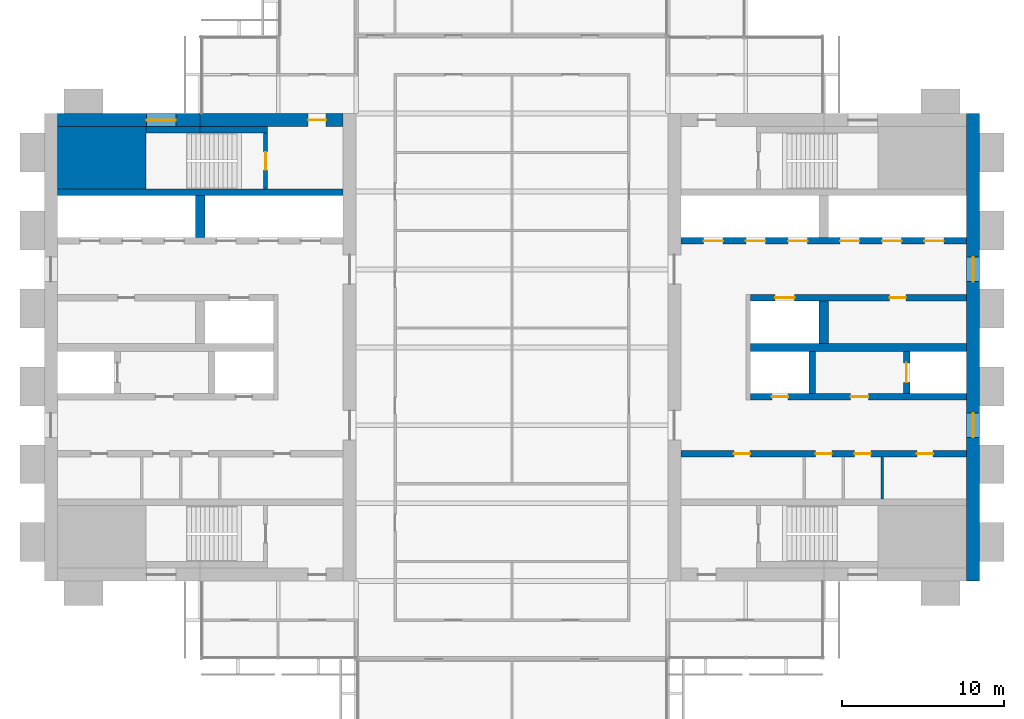
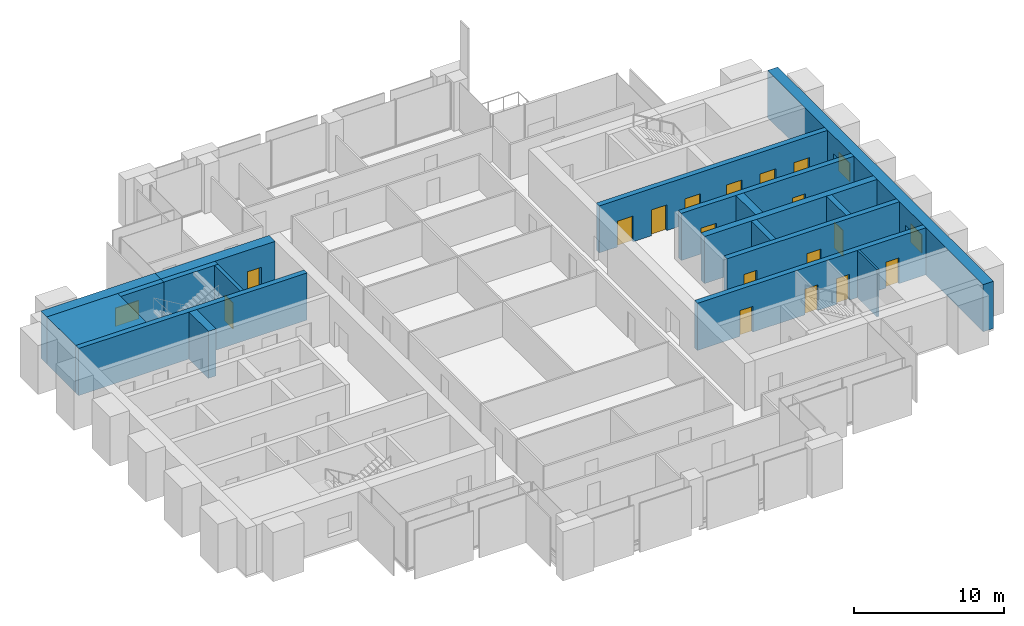
# One storey, part 10 of 13: 18 walls, 17 doors, 3 windows, 20 openings.
"""IFC4 building model written with IfcOpenShell, lengths in metres."""

from ifc_helpers import new_model, si_unit, direction, frame, frame_2d, origin, place, context, subcontext, project, spatial, rectangle, extrude, material, layer, layer_set, type_object, element, fill, save


model = new_model("IFC4")

# Units and contexts
model_context = context("Model", 3, precision=1e-05, world=origin(), true_north=direction((0.0, 1.0)))
body_context = subcontext(model_context, "Body", "Model", "MODEL_VIEW")
ifc_project = project(units=[si_unit("LENGTHUNIT", "METRE"), si_unit("AREAUNIT", "SQUARE_METRE"), si_unit("VOLUMEUNIT", "CUBIC_METRE"), si_unit("PLANEANGLEUNIT", "RADIAN"), si_unit("MASSUNIT", "GRAM", prefix="KILO")], contexts=[model_context])

# Site, building, storey
site_placement = place(None, origin())
site = spatial("IfcSite", under=ifc_project, at=site_placement, CompositionType="ELEMENT")
building_placement = place(site_placement, origin())
building = spatial("IfcBuilding", under=site, at=building_placement, Name="Baori Bourse Tower", CompositionType="ELEMENT")
storey_placement = place(building_placement, frame((0.0, 0.0, 205.199951171875)))
storey = spatial("IfcBuildingStorey", under=building, at=storey_placement, Name="L44", CompositionType="ELEMENT", Elevation=205.199951171875)

# Walls
ifc_material_1 = material(Name="Concrete f'c 50 MPa", Category="concrete")
wall_type_1 = type_object("IfcWallType", Name="Core corner block f'c 50", PredefinedType="SHEAR", material=ifc_material_1)
wall_1_placement = place(storey_placement, frame((0.800048828125, 35.675048828125, 0.0), z_axis=(0.0, 0.0, 1.0), x_axis=(1.0, 0.0, 0.0)))
element("IfcWall", 1, at=wall_1_placement, inside=storey, type_object=wall_type_1, Name="Core wall W24", PredefinedType="SHEAR", context=body_context, shape_type="SweptSolid", body=[
    extrude(rectangle(XDim=5.449951171875, YDim=3.85009765625, at=frame_2d((2.72509765625, 0.0))), origin(), (0.0, 0.0, 1.0), 3.840087890625),
])
ifc_material_2 = material(Name="Blockwork partition", Category="masonry")
ifc_layer_1 = layer(ifc_material_2, 0.14990234375)
ifc_layer_set_1 = layer_set([ifc_layer_1], Name="Core partition 150")
wall_type_2 = type_object("IfcWallType", Name="Core partition 150", PredefinedType="PARTITIONING", material=ifc_layer_set_1)
wall_2_placement = place(storey_placement, frame((51.60009765625, 14.64990234375, 0.0), z_axis=(0.0, 0.0, 1.0), x_axis=(0.0, 1.0, 0.0)))
element("IfcWall", 2, at=wall_2_placement, inside=storey, type_object=wall_type_2, Name="Partition wall E10", PredefinedType="PARTITIONING", context=body_context, shape_type="SweptSolid", body=[
    extrude(rectangle(XDim=2.60009765625, YDim=0.14990234375, at=frame_2d((1.300048828125, 0.0))), origin(), (0.0, 0.0, 1.0), 3.840087890625),
])

# Wall, opening, window
ifc_material_3 = material(Name="Concrete f'c 50 MPa", Category="concrete")
ifc_layer_2 = layer(ifc_material_3, 0.800048828125)
ifc_layer_set_2 = layer_set([ifc_layer_2], Name="Core wall 800 f'c 50")
wall_type_3 = type_object("IfcWallType", Name="Core wall 800 f'c 50", PredefinedType="SHEAR", material=ifc_layer_set_2)
wall_3_placement = place(storey_placement, frame((0.800048828125, 38.0, 0.0), z_axis=(0.0, 0.0, 1.0), x_axis=(1.0, 0.0, 0.0)))
wall_3 = element("IfcWall", 3, at=wall_3_placement, inside=storey, type_object=wall_type_3, Name="Core wall W28", PredefinedType="SHEAR", context=body_context, shape_type="SweptSolid", body=[
    extrude(rectangle(XDim=8.800048828125, YDim=0.800048828125, at=frame_2d((4.39990234375, 0.0))), origin(), (0.0, 0.0, 1.0), 3.840087890625),
])
opening_1_placement = place(wall_3_placement, frame((5.5, 0.0, 0.89990234375)))
opening_1 = element("IfcOpeningElement", 4, at=opening_1_placement, cuts=wall_3, Name="Opening L44-KW104", PredefinedType="OPENING", context=body_context, shape_type="SweptSolid", body=[
    extrude(rectangle(XDim=1.800048828125, YDim=1.5, at=frame_2d((0.89990234375, 0.75))), frame((0.0, 0.409912109375, 0.0), z_axis=(0.0, -1.0, 0.0), x_axis=(1.0, 0.0, 0.0)), (0.0, 0.0, 1.0), 0.820068359375),
])
ifc_material_4 = material(Name="Pale anodised aluminium", Category="aluminium")
window_type_1 = type_object("IfcWindowType", Name="Stair window 1800 x 1500", PartitioningType="SINGLE_PANEL", PredefinedType="WINDOW", material=ifc_material_4)
window_1_placement = place(opening_1_placement, origin())
window_1 = element("IfcWindow", 5, at=window_1_placement, inside=storey, type_object=window_type_1, Name="Stair window W L44 4", OverallHeight=1.5, OverallWidth=1.800048828125, PartitioningType="SINGLE_PANEL", PredefinedType="WINDOW", context=body_context, shape_type="SweptSolid", body=[
    extrude(rectangle(XDim=1.800048828125, YDim=1.5, at=frame_2d((0.89990234375, 0.75))), frame((0.0, 0.030029296875, 0.0), z_axis=(0.0, -1.0, 0.0), x_axis=(1.0, 0.0, 0.0)), (0.0, 0.0, 1.0), 0.06005859375),
])
fill(opening_1, window_1)

# Wall, opening, door
wall_4_placement = place(storey_placement, frame((9.60009765625, 38.0, 0.0), z_axis=(0.0, 0.0, 1.0), x_axis=(1.0, 0.0, 0.0)))
wall_4 = element("IfcWall", 6, at=wall_4_placement, inside=storey, type_object=wall_type_3, Name="Core wall W29", PredefinedType="SHEAR", context=body_context, shape_type="SweptSolid", body=[
    extrude(rectangle(XDim=8.7998046875, YDim=0.800048828125, at=frame_2d((4.39990234375, 0.0))), origin(), (0.0, 0.0, 1.0), 3.840087890625),
])
opening_2_placement = place(wall_4_placement, frame((6.64990234375, 0.0, 0.0)))
opening_2 = element("IfcOpeningElement", 7, at=opening_2_placement, cuts=wall_4, Name="Opening L44-D104", PredefinedType="OPENING", context=body_context, shape_type="SweptSolid", body=[
    extrude(rectangle(XDim=1.10009765625, YDim=2.10009765625, at=frame_2d((0.550048828125, 1.050048828125))), frame((0.0, 0.409912109375, 0.0), z_axis=(0.0, -1.0, 0.0), x_axis=(1.0, 0.0, 0.0)), (0.0, 0.0, 1.0), 0.820068359375),
])
ifc_material_5 = material(Name="Painted steel door", Category="steel")
door_type_1 = type_object("IfcDoorType", Name="Stair door 1100", OperationType="SINGLE_SWING_LEFT", PredefinedType="DOOR", material=ifc_material_5)
door_1_placement = place(opening_2_placement, origin())
door_1 = element("IfcDoor", 8, at=door_1_placement, inside=storey, type_object=door_type_1, Name="Stair vestibule door B W L44", OperationType="SINGLE_SWING_LEFT", OverallHeight=2.10009765625, OverallWidth=1.10009765625, PredefinedType="DOOR", context=body_context, shape_type="SweptSolid", body=[
    extrude(rectangle(XDim=1.10009765625, YDim=2.10009765625, at=frame_2d((0.550048828125, 1.050048828125))), frame((0.0, 0.02490234375, 0.0), z_axis=(0.0, -1.0, 0.0), x_axis=(1.0, 0.0, 0.0)), (0.0, 0.0, 1.0), 0.050048828125),
])
fill(opening_2, door_1)

# Wall, openings, windows
wall_5_placement = place(storey_placement, frame((57.199951171875, 38.39990234375, 0.0), z_axis=(0.0, 0.0, 1.0), x_axis=(0.0, -1.0, 0.0)))
wall_5 = element("IfcWall", 9, at=wall_5_placement, inside=storey, type_object=wall_type_3, Name="Core wall E01", PredefinedType="SHEAR", context=body_context, shape_type="SweptSolid", body=[
    extrude(rectangle(XDim=28.7998046875, YDim=0.800048828125, at=frame_2d((14.39990234375, 0.0))), origin(), (0.0, 0.0, 1.0), 3.840087890625),
])
opening_3_placement = place(wall_5_placement, frame((18.449951171875, 0.0, 0.89990234375)))
opening_3 = element("IfcOpeningElement", 10, at=opening_3_placement, cuts=wall_5, Name="Opening L44-KW201", PredefinedType="OPENING", context=body_context, shape_type="SweptSolid", body=[
    extrude(rectangle(XDim=1.5, YDim=1.5, at=frame_2d((0.75, 0.75))), frame((0.0, 0.409912109375, 0.0), z_axis=(0.0, -1.0, 0.0), x_axis=(1.0, 0.0, 0.0)), (0.0, 0.0, 1.0), 0.820068359375),
])
opening_4_placement = place(wall_5_placement, frame((8.85009765625, 0.0, 0.89990234375)))
opening_4 = element("IfcOpeningElement", 11, at=opening_4_placement, cuts=wall_5, Name="Opening L44-KW202", PredefinedType="OPENING", context=body_context, shape_type="SweptSolid", body=[
    extrude(rectangle(XDim=1.5, YDim=1.5, at=frame_2d((0.75, 0.75))), frame((0.0, 0.409912109375, 0.0), z_axis=(0.0, -1.0, 0.0), x_axis=(1.0, 0.0, 0.0)), (0.0, 0.0, 1.0), 0.820068359375),
])
ifc_material_6 = material(Name="Pale anodised aluminium", Category="aluminium")
window_type_2 = type_object("IfcWindowType", Name="Lobby window 1500 x 1500", PartitioningType="SINGLE_PANEL", PredefinedType="WINDOW", material=ifc_material_6)
window_2_placement = place(opening_3_placement, origin())
window_2 = element("IfcWindow", 12, at=window_2_placement, inside=storey, type_object=window_type_2, Name="Outer wall window E L44 1", OverallHeight=1.5, OverallWidth=1.5, PartitioningType="SINGLE_PANEL", PredefinedType="WINDOW", context=body_context, shape_type="SweptSolid", body=[
    extrude(rectangle(XDim=1.5, YDim=1.5, at=frame_2d((0.75, 0.75))), frame((0.0, 0.030029296875, 0.0), z_axis=(0.0, -1.0, 0.0), x_axis=(1.0, 0.0, 0.0)), (0.0, 0.0, 1.0), 0.06005859375),
])
fill(opening_3, window_2)
window_3_placement = place(opening_4_placement, origin())
window_3 = element("IfcWindow", 13, at=window_3_placement, inside=storey, type_object=window_type_2, Name="Outer wall window E L44 2", OverallHeight=1.5, OverallWidth=1.5, PartitioningType="SINGLE_PANEL", PredefinedType="WINDOW", context=body_context, shape_type="SweptSolid", body=[
    extrude(rectangle(XDim=1.5, YDim=1.5, at=frame_2d((0.75, 0.75))), frame((0.0, 0.030029296875, 0.0), z_axis=(0.0, -1.0, 0.0), x_axis=(1.0, 0.0, 0.0)), (0.0, 0.0, 1.0), 0.06005859375),
])
fill(opening_4, window_3)

# Wall, opening, door
ifc_material_7 = material(Name="Concrete f'c 50 MPa", Category="concrete")
ifc_layer_3 = layer(ifc_material_7, 0.25)
ifc_layer_set_3 = layer_set([ifc_layer_3], Name="Shaft wall 250 f'c 50")
wall_type_4 = type_object("IfcWallType", Name="Shaft wall 250 f'c 50", PredefinedType="SHEAR", material=ifc_layer_set_3)
wall_6_placement = place(storey_placement, frame((13.625, 33.75, 0.0), z_axis=(0.0, 0.0, 1.0), x_axis=(0.0, 1.0, 0.0)))
wall_6 = element("IfcWall", 14, at=wall_6_placement, inside=storey, type_object=wall_type_4, Name="Core wall W25", PredefinedType="SHEAR", context=body_context, shape_type="SweptSolid", body=[
    extrude(rectangle(XDim=3.449951171875, YDim=0.25, at=frame_2d((1.72509765625, 0.0))), origin(), (0.0, 0.0, 1.0), 3.840087890625),
])
opening_5_placement = place(wall_6_placement, frame((1.175048828125, 0.0, 0.0)))
opening_5 = element("IfcOpeningElement", 15, at=opening_5_placement, cuts=wall_6, Name="Opening L44-D103", PredefinedType="OPENING", context=body_context, shape_type="SweptSolid", body=[
    extrude(rectangle(XDim=1.10009765625, YDim=2.10009765625, at=frame_2d((0.550048828125, 1.050048828125))), frame((0.0, 0.135009765625, 0.0), z_axis=(0.0, -1.0, 0.0), x_axis=(1.0, 0.0, 0.0)), (0.0, 0.0, 1.0), 0.27001953125),
])
door_2_placement = place(opening_5_placement, origin())
door_2 = element("IfcDoor", 16, at=door_2_placement, inside=storey, type_object=door_type_1, Name="Stair door B W L44", OperationType="SINGLE_SWING_LEFT", OverallHeight=2.10009765625, OverallWidth=1.10009765625, PredefinedType="DOOR", context=body_context, shape_type="SweptSolid", body=[
    extrude(rectangle(XDim=1.10009765625, YDim=2.10009765625, at=frame_2d((0.550048828125, 1.050048828125))), frame((0.0, 0.02490234375, 0.0), z_axis=(0.0, -1.0, 0.0), x_axis=(1.0, 0.0, 0.0)), (0.0, 0.0, 1.0), 0.050048828125),
])
fill(opening_5, door_2)

# Walls
ifc_material_8 = material(Name="Concrete f'c 50 MPa", Category="concrete")
ifc_layer_4 = layer(ifc_material_8, 0.39990234375)
ifc_layer_set_4 = layer_set([ifc_layer_4], Name="Shaft wall 400 f'c 50")
wall_type_5 = type_object("IfcWallType", Name="Shaft wall 400 f'c 50", PredefinedType="SHEAR", material=ifc_layer_set_4)
wall_7_placement = place(storey_placement, frame((0.800048828125, 33.550048828125, 0.0), z_axis=(0.0, 0.0, 1.0), x_axis=(1.0, 0.0, 0.0)))
element("IfcWall", 17, at=wall_7_placement, inside=storey, type_object=wall_type_5, Name="Core wall W23", PredefinedType="SHEAR", context=body_context, shape_type="SweptSolid", body=[
    extrude(rectangle(XDim=17.599853515625, YDim=0.39990234375, at=frame_2d((8.7998046875, 0.0))), origin(), (0.0, 0.0, 1.0), 3.840087890625),
])
wall_8_placement = place(storey_placement, frame((6.25, 37.39990234375, 0.0), z_axis=(0.0, 0.0, 1.0), x_axis=(1.0, 0.0, 0.0)))
element("IfcWall", 18, at=wall_8_placement, inside=storey, type_object=wall_type_5, Name="Core wall W26", PredefinedType="SHEAR", context=body_context, shape_type="SweptSolid", body=[
    extrude(rectangle(XDim=3.35009765625, YDim=0.39990234375, at=frame_2d((1.675048828125, 0.0))), origin(), (0.0, 0.0, 1.0), 3.840087890625),
])
wall_9_placement = place(storey_placement, frame((9.60009765625, 37.39990234375, 0.0), z_axis=(0.0, 0.0, 1.0), x_axis=(1.0, 0.0, 0.0)))
element("IfcWall", 19, at=wall_9_placement, inside=storey, type_object=wall_type_5, Name="Core wall W27", PredefinedType="SHEAR", context=body_context, shape_type="SweptSolid", body=[
    extrude(rectangle(XDim=4.14990234375, YDim=0.39990234375, at=frame_2d((2.074951171875, 0.0))), origin(), (0.0, 0.0, 1.0), 3.840087890625),
])

# Wall, openings, doors
wall_10_placement = place(storey_placement, frame((39.199951171875, 17.449951171875, 0.0), z_axis=(0.0, 0.0, 1.0), x_axis=(1.0, 0.0, 0.0)))
wall_10 = element("IfcWall", 20, at=wall_10_placement, inside=storey, type_object=wall_type_5, Name="Core wall E13", PredefinedType="SHEAR", context=body_context, shape_type="SweptSolid", body=[
    extrude(rectangle(XDim=17.60009765625, YDim=0.39990234375, at=frame_2d((8.800048828125, 0.0))), origin(), (0.0, 0.0, 1.0), 3.840087890625),
])
opening_6_placement = place(wall_10_placement, frame((14.53759765625, 0.0, 0.0)))
opening_6 = element("IfcOpeningElement", 21, at=opening_6_placement, cuts=wall_10, Name="Opening L44-D209", PredefinedType="OPENING", context=body_context, shape_type="SweptSolid", body=[
    extrude(rectangle(XDim=1.0, YDim=2.10009765625, at=frame_2d((0.5, 1.050048828125))), frame((0.0, 0.2099609375, 0.0), z_axis=(0.0, -1.0, 0.0), x_axis=(1.0, 0.0, 0.0)), (0.0, 0.0, 1.0), 0.419921875),
])
opening_7_placement = place(wall_10_placement, frame((10.699951171875, 0.0, 0.0)))
opening_7 = element("IfcOpeningElement", 22, at=opening_7_placement, cuts=wall_10, Name="Opening L44-D210", PredefinedType="OPENING", context=body_context, shape_type="SweptSolid", body=[
    extrude(rectangle(XDim=1.0, YDim=2.10009765625, at=frame_2d((0.5, 1.050048828125))), frame((0.0, 0.2099609375, 0.0), z_axis=(0.0, -1.0, 0.0), x_axis=(1.0, 0.0, 0.0)), (0.0, 0.0, 1.0), 0.419921875),
])
opening_8_placement = place(wall_10_placement, frame((8.300048828125, 0.0, 0.0)))
opening_8 = element("IfcOpeningElement", 23, at=opening_8_placement, cuts=wall_10, Name="Opening L44-D211", PredefinedType="OPENING", context=body_context, shape_type="SweptSolid", body=[
    extrude(rectangle(XDim=1.0, YDim=2.10009765625, at=frame_2d((0.5, 1.050048828125))), frame((0.0, 0.2099609375, 0.0), z_axis=(0.0, -1.0, 0.0), x_axis=(1.0, 0.0, 0.0)), (0.0, 0.0, 1.0), 0.419921875),
])
opening_9_placement = place(wall_10_placement, frame((3.262451171875, 0.0, 0.0)))
opening_9 = element("IfcOpeningElement", 24, at=opening_9_placement, cuts=wall_10, Name="Opening L44-D212", PredefinedType="OPENING", context=body_context, shape_type="SweptSolid", body=[
    extrude(rectangle(XDim=1.0, YDim=2.10009765625, at=frame_2d((0.5, 1.050048828125))), frame((0.0, 0.2099609375, 0.0), z_axis=(0.0, -1.0, 0.0), x_axis=(1.0, 0.0, 0.0)), (0.0, 0.0, 1.0), 0.419921875),
])
ifc_material_9 = material(Name="Painted steel door", Category="steel")
door_type_2 = type_object("IfcDoorType", Name="Core door 1000", OperationType="SINGLE_SWING_LEFT", PredefinedType="DOOR", material=ifc_material_9)
door_3_placement = place(opening_6_placement, origin())
door_3 = element("IfcDoor", 25, at=door_3_placement, inside=storey, type_object=door_type_2, Name="Women'S Wc door E L44", OperationType="SINGLE_SWING_LEFT", OverallHeight=2.10009765625, OverallWidth=1.0, PredefinedType="DOOR", context=body_context, shape_type="SweptSolid", body=[
    extrude(rectangle(XDim=1.0, YDim=2.10009765625, at=frame_2d((0.5, 1.050048828125))), frame((0.0, 0.02490234375, 0.0), z_axis=(0.0, -1.0, 0.0), x_axis=(1.0, 0.0, 0.0)), (0.0, 0.0, 1.0), 0.050048828125),
])
fill(opening_6, door_3)
door_4_placement = place(opening_7_placement, origin())
door_4 = element("IfcDoor", 26, at=door_4_placement, inside=storey, type_object=door_type_2, Name="Accessible Wc door E L44", OperationType="SINGLE_SWING_LEFT", OverallHeight=2.10009765625, OverallWidth=1.0, PredefinedType="DOOR", context=body_context, shape_type="SweptSolid", body=[
    extrude(rectangle(XDim=1.0, YDim=2.10009765625, at=frame_2d((0.5, 1.050048828125))), frame((0.0, 0.02490234375, 0.0), z_axis=(0.0, -1.0, 0.0), x_axis=(1.0, 0.0, 0.0)), (0.0, 0.0, 1.0), 0.050048828125),
])
fill(opening_7, door_4)
door_5_placement = place(opening_9_placement, origin())
door_5 = element("IfcDoor", 27, at=door_5_placement, inside=storey, type_object=door_type_2, Name="Men'S Wc door E L44", OperationType="SINGLE_SWING_LEFT", OverallHeight=2.10009765625, OverallWidth=1.0, PredefinedType="DOOR", context=body_context, shape_type="SweptSolid", body=[
    extrude(rectangle(XDim=1.0, YDim=2.10009765625, at=frame_2d((0.5, 1.050048828125))), frame((0.0, 0.02490234375, 0.0), z_axis=(0.0, -1.0, 0.0), x_axis=(1.0, 0.0, 0.0)), (0.0, 0.0, 1.0), 0.050048828125),
])
fill(opening_9, door_5)
ifc_material_10 = material(Name="Painted steel door", Category="steel")
door_type_3 = type_object("IfcDoorType", Name="Plant room door 1000", OperationType="SINGLE_SWING_LEFT", PredefinedType="DOOR", material=ifc_material_10)
door_6_placement = place(opening_8_placement, origin())
door_6 = element("IfcDoor", 28, at=door_6_placement, inside=storey, type_object=door_type_3, Name="Electrical Room door E L44", OperationType="SINGLE_SWING_LEFT", OverallHeight=2.10009765625, OverallWidth=1.0, PredefinedType="DOOR", context=body_context, shape_type="SweptSolid", body=[
    extrude(rectangle(XDim=1.0, YDim=2.10009765625, at=frame_2d((0.5, 1.050048828125))), frame((0.0, 0.02490234375, 0.0), z_axis=(0.0, -1.0, 0.0), x_axis=(1.0, 0.0, 0.0)), (0.0, 0.0, 1.0), 0.050048828125),
])
fill(opening_8, door_6)

wall_11_placement = place(storey_placement, frame((43.5, 20.949951171875, 0.0), z_axis=(0.0, 0.0, 1.0), x_axis=(1.0, 0.0, 0.0)))
wall_11 = element("IfcWall", 29, at=wall_11_placement, inside=storey, type_object=wall_type_5, Name="Core wall E14", PredefinedType="SHEAR", context=body_context, shape_type="SweptSolid", body=[
    extrude(rectangle(XDim=13.300048828125, YDim=0.39990234375, at=frame_2d((6.64990234375, 0.0))), origin(), (0.0, 0.0, 1.0), 3.840087890625),
])
opening_10_placement = place(wall_11_placement, frame((6.14990234375, 0.0, 0.0)))
opening_10 = element("IfcOpeningElement", 30, at=opening_10_placement, cuts=wall_11, Name="Opening L44-D205", PredefinedType="OPENING", context=body_context, shape_type="SweptSolid", body=[
    extrude(rectangle(XDim=1.10009765625, YDim=2.10009765625, at=frame_2d((0.550048828125, 1.050048828125))), frame((0.0, 0.2099609375, 0.0), z_axis=(0.0, -1.0, 0.0), x_axis=(1.0, 0.0, 0.0)), (0.0, 0.0, 1.0), 0.419921875),
])
opening_11_placement = place(wall_11_placement, frame((1.300048828125, 0.0, 0.0)))
opening_11 = element("IfcOpeningElement", 31, at=opening_11_placement, cuts=wall_11, Name="Opening L44-D206", PredefinedType="OPENING", context=body_context, shape_type="SweptSolid", body=[
    extrude(rectangle(XDim=1.0, YDim=2.10009765625, at=frame_2d((0.5, 1.050048828125))), frame((0.0, 0.2099609375, 0.0), z_axis=(0.0, -1.0, 0.0), x_axis=(1.0, 0.0, 0.0)), (0.0, 0.0, 1.0), 0.419921875),
])
ifc_material_11 = material(Name="Painted steel door", Category="steel")
door_type_4 = type_object("IfcDoorType", Name="Lobby door 1100", OperationType="SINGLE_SWING_LEFT", PredefinedType="DOOR", material=ifc_material_11)
door_7_placement = place(opening_10_placement, origin())
door_7 = element("IfcDoor", 32, at=door_7_placement, inside=storey, type_object=door_type_4, Name="Firefighting lobby door E L44", OperationType="SINGLE_SWING_LEFT", OverallHeight=2.10009765625, OverallWidth=1.10009765625, PredefinedType="DOOR", context=body_context, shape_type="SweptSolid", body=[
    extrude(rectangle(XDim=1.10009765625, YDim=2.10009765625, at=frame_2d((0.550048828125, 1.050048828125))), frame((0.0, 0.02490234375, 0.0), z_axis=(0.0, -1.0, 0.0), x_axis=(1.0, 0.0, 0.0)), (0.0, 0.0, 1.0), 0.050048828125),
])
fill(opening_10, door_7)
ifc_material_12 = material(Name="Painted steel door", Category="steel")
door_type_5 = type_object("IfcDoorType", Name="Shaft door 1000", OperationType="SINGLE_SWING_LEFT", PredefinedType="DOOR", material=ifc_material_12)
door_8_placement = place(opening_11_placement, origin())
door_8 = element("IfcDoor", 33, at=door_8_placement, inside=storey, type_object=door_type_5, Name="Riser room door E L44", OperationType="SINGLE_SWING_LEFT", OverallHeight=2.10009765625, OverallWidth=1.0, PredefinedType="DOOR", context=body_context, shape_type="SweptSolid", body=[
    extrude(rectangle(XDim=1.0, YDim=2.10009765625, at=frame_2d((0.5, 1.050048828125))), frame((0.0, 0.02490234375, 0.0), z_axis=(0.0, -1.0, 0.0), x_axis=(1.0, 0.0, 0.0)), (0.0, 0.0, 1.0), 0.050048828125),
])
fill(opening_11, door_8)

# Wall, opening, door
wall_12_placement = place(storey_placement, frame((53.10009765625, 21.14990234375, 0.0), z_axis=(0.0, 0.0, 1.0), x_axis=(0.0, 1.0, 0.0)))
wall_12 = element("IfcWall", 34, at=wall_12_placement, inside=storey, type_object=wall_type_5, Name="Core wall E16", PredefinedType="SHEAR", context=body_context, shape_type="SweptSolid", body=[
    extrude(rectangle(XDim=2.60009765625, YDim=0.39990234375, at=frame_2d((1.300048828125, 0.0))), origin(), (0.0, 0.0, 1.0), 3.840087890625),
])
opening_12_placement = place(wall_12_placement, frame((0.699951171875, 0.0, 0.0)))
opening_12 = element("IfcOpeningElement", 35, at=opening_12_placement, cuts=wall_12, Name="Opening L44-D221", PredefinedType="OPENING", context=body_context, shape_type="SweptSolid", body=[
    extrude(rectangle(XDim=1.199951171875, YDim=2.10009765625, at=frame_2d((0.60009765625, 1.050048828125))), frame((0.0, 0.2099609375, 0.0), z_axis=(0.0, -1.0, 0.0), x_axis=(1.0, 0.0, 0.0)), (0.0, 0.0, 1.0), 0.419921875),
])
ifc_material_13 = material(Name="Stainless steel door", Category="steel")
door_type_6 = type_object("IfcDoorType", Name="Lift landing door", OperationType="DOUBLE_DOOR_SLIDING", PredefinedType="DOOR", material=ifc_material_13)
door_9_placement = place(opening_12_placement, origin())
door_9 = element("IfcDoor", 36, at=door_9_placement, inside=storey, type_object=door_type_6, Name="Lift landing door FF2 E L44", OperationType="DOUBLE_DOOR_SLIDING", OverallHeight=2.10009765625, OverallWidth=1.199951171875, PredefinedType="DOOR", context=body_context, shape_type="SweptSolid", body=[
    extrude(rectangle(XDim=1.199951171875, YDim=2.10009765625, at=frame_2d((0.60009765625, 1.050048828125))), frame((0.0, 0.02490234375, 0.0), z_axis=(0.0, -1.0, 0.0), x_axis=(1.0, 0.0, 0.0)), (0.0, 0.0, 1.0), 0.050048828125),
])
fill(opening_12, door_9)

# Wall
wall_13_placement = place(storey_placement, frame((47.300048828125, 21.14990234375, 0.0), z_axis=(0.0, 0.0, 1.0), x_axis=(0.0, 1.0, 0.0)))
element("IfcWall", 37, at=wall_13_placement, inside=storey, type_object=wall_type_5, Name="Core wall E17", PredefinedType="SHEAR", context=body_context, shape_type="SweptSolid", body=[
    extrude(rectangle(XDim=2.60009765625, YDim=0.39990234375, at=frame_2d((1.300048828125, 0.0))), origin(), (0.0, 0.0, 1.0), 3.840087890625),
])

# Wall, openings, doors
wall_14_placement = place(storey_placement, frame((43.5, 27.050048828125, 0.0), z_axis=(0.0, 0.0, 1.0), x_axis=(1.0, 0.0, 0.0)))
wall_14 = element("IfcWall", 38, at=wall_14_placement, inside=storey, type_object=wall_type_5, Name="Core wall E20", PredefinedType="SHEAR", context=body_context, shape_type="SweptSolid", body=[
    extrude(rectangle(XDim=13.300048828125, YDim=0.39990234375, at=frame_2d((6.64990234375, 0.0))), origin(), (0.0, 0.0, 1.0), 3.840087890625),
])
opening_13_placement = place(wall_14_placement, frame((8.550048828125, 0.0, 0.0)))
opening_13 = element("IfcOpeningElement", 39, at=opening_13_placement, cuts=wall_14, Name="Opening L44-D213", PredefinedType="OPENING", context=body_context, shape_type="SweptSolid", body=[
    extrude(rectangle(XDim=1.0, YDim=2.10009765625, at=frame_2d((0.5, 1.050048828125))), frame((0.0, 0.2099609375, 0.0), z_axis=(0.0, -1.0, 0.0), x_axis=(1.0, 0.0, 0.0)), (0.0, 0.0, 1.0), 0.419921875),
])
opening_14_placement = place(wall_14_placement, frame((1.5, 0.0, 0.0)))
opening_14 = element("IfcOpeningElement", 40, at=opening_14_placement, cuts=wall_14, Name="Opening L44-D220", PredefinedType="OPENING", context=body_context, shape_type="SweptSolid", body=[
    extrude(rectangle(XDim=1.199951171875, YDim=2.10009765625, at=frame_2d((0.60009765625, 1.050048828125))), frame((0.0, 0.2099609375, 0.0), z_axis=(0.0, -1.0, 0.0), x_axis=(1.0, 0.0, 0.0)), (0.0, 0.0, 1.0), 0.419921875),
])
door_10_placement = place(opening_13_placement, origin())
door_10 = element("IfcDoor", 41, at=door_10_placement, inside=storey, type_object=door_type_2, Name="Recycling Room door E L44", OperationType="SINGLE_SWING_LEFT", OverallHeight=2.10009765625, OverallWidth=1.0, PredefinedType="DOOR", context=body_context, shape_type="SweptSolid", body=[
    extrude(rectangle(XDim=1.0, YDim=2.10009765625, at=frame_2d((0.5, 1.050048828125))), frame((0.0, 0.02490234375, 0.0), z_axis=(0.0, -1.0, 0.0), x_axis=(1.0, 0.0, 0.0)), (0.0, 0.0, 1.0), 0.050048828125),
])
fill(opening_13, door_10)
door_11_placement = place(opening_14_placement, origin())
door_11 = element("IfcDoor", 42, at=door_11_placement, inside=storey, type_object=door_type_6, Name="Lift landing door SV1 E L44", OperationType="DOUBLE_DOOR_SLIDING", OverallHeight=2.10009765625, OverallWidth=1.199951171875, PredefinedType="DOOR", context=body_context, shape_type="SweptSolid", body=[
    extrude(rectangle(XDim=1.199951171875, YDim=2.10009765625, at=frame_2d((0.60009765625, 1.050048828125))), frame((0.0, 0.02490234375, 0.0), z_axis=(0.0, -1.0, 0.0), x_axis=(1.0, 0.0, 0.0)), (0.0, 0.0, 1.0), 0.050048828125),
])
fill(opening_14, door_11)

wall_15_placement = place(storey_placement, frame((39.199951171875, 30.550048828125, 0.0), z_axis=(0.0, 0.0, 1.0), x_axis=(1.0, 0.0, 0.0)))
wall_15 = element("IfcWall", 43, at=wall_15_placement, inside=storey, type_object=wall_type_5, Name="Core wall E21", PredefinedType="SHEAR", context=body_context, shape_type="SweptSolid", body=[
    extrude(rectangle(XDim=17.60009765625, YDim=0.39990234375, at=frame_2d((8.800048828125, 0.0))), origin(), (0.0, 0.0, 1.0), 3.840087890625),
])
opening_15_placement = place(wall_15_placement, frame((15.0, 0.0, 0.0)))
opening_15 = element("IfcOpeningElement", 44, at=opening_15_placement, cuts=wall_15, Name="Opening L44-D214", PredefinedType="OPENING", context=body_context, shape_type="SweptSolid", body=[
    extrude(rectangle(XDim=1.199951171875, YDim=2.10009765625, at=frame_2d((0.60009765625, 1.050048828125))), frame((0.0, 0.2099609375, 0.0), z_axis=(0.0, -1.0, 0.0), x_axis=(1.0, 0.0, 0.0)), (0.0, 0.0, 1.0), 0.419921875),
])
opening_16_placement = place(wall_15_placement, frame((12.39990234375, 0.0, 0.0)))
opening_16 = element("IfcOpeningElement", 45, at=opening_16_placement, cuts=wall_15, Name="Opening L44-D215", PredefinedType="OPENING", context=body_context, shape_type="SweptSolid", body=[
    extrude(rectangle(XDim=1.199951171875, YDim=2.10009765625, at=frame_2d((0.60009765625, 1.050048828125))), frame((0.0, 0.2099609375, 0.0), z_axis=(0.0, -1.0, 0.0), x_axis=(1.0, 0.0, 0.0)), (0.0, 0.0, 1.0), 0.419921875),
])
opening_17_placement = place(wall_15_placement, frame((9.800048828125, 0.0, 0.0)))
opening_17 = element("IfcOpeningElement", 46, at=opening_17_placement, cuts=wall_15, Name="Opening L44-D216", PredefinedType="OPENING", context=body_context, shape_type="SweptSolid", body=[
    extrude(rectangle(XDim=1.199951171875, YDim=2.10009765625, at=frame_2d((0.60009765625, 1.050048828125))), frame((0.0, 0.2099609375, 0.0), z_axis=(0.0, -1.0, 0.0), x_axis=(1.0, 0.0, 0.0)), (0.0, 0.0, 1.0), 0.419921875),
])
opening_18_placement = place(wall_15_placement, frame((6.60009765625, 0.0, 0.0)))
opening_18 = element("IfcOpeningElement", 47, at=opening_18_placement, cuts=wall_15, Name="Opening L44-D217", PredefinedType="OPENING", context=body_context, shape_type="SweptSolid", body=[
    extrude(rectangle(XDim=1.199951171875, YDim=2.10009765625, at=frame_2d((0.60009765625, 1.050048828125))), frame((0.0, 0.2099609375, 0.0), z_axis=(0.0, -1.0, 0.0), x_axis=(1.0, 0.0, 0.0)), (0.0, 0.0, 1.0), 0.419921875),
])
opening_19_placement = place(wall_15_placement, frame((4.0, 0.0, 0.0)))
opening_19 = element("IfcOpeningElement", 48, at=opening_19_placement, cuts=wall_15, Name="Opening L44-D218", PredefinedType="OPENING", context=body_context, shape_type="SweptSolid", body=[
    extrude(rectangle(XDim=1.199951171875, YDim=2.10009765625, at=frame_2d((0.60009765625, 1.050048828125))), frame((0.0, 0.2099609375, 0.0), z_axis=(0.0, -1.0, 0.0), x_axis=(1.0, 0.0, 0.0)), (0.0, 0.0, 1.0), 0.419921875),
])
opening_20_placement = place(wall_15_placement, frame((1.39990234375, 0.0, 0.0)))
opening_20 = element("IfcOpeningElement", 49, at=opening_20_placement, cuts=wall_15, Name="Opening L44-D219", PredefinedType="OPENING", context=body_context, shape_type="SweptSolid", body=[
    extrude(rectangle(XDim=1.199951171875, YDim=2.10009765625, at=frame_2d((0.60009765625, 1.050048828125))), frame((0.0, 0.2099609375, 0.0), z_axis=(0.0, -1.0, 0.0), x_axis=(1.0, 0.0, 0.0)), (0.0, 0.0, 1.0), 0.419921875),
])
door_12_placement = place(opening_15_placement, origin())
door_12 = element("IfcDoor", 50, at=door_12_placement, inside=storey, type_object=door_type_6, Name="Lift landing door HR1 E L44", OperationType="DOUBLE_DOOR_SLIDING", OverallHeight=2.10009765625, OverallWidth=1.199951171875, PredefinedType="DOOR", context=body_context, shape_type="SweptSolid", body=[
    extrude(rectangle(XDim=1.199951171875, YDim=2.10009765625, at=frame_2d((0.60009765625, 1.050048828125))), frame((0.0, 0.02490234375, 0.0), z_axis=(0.0, -1.0, 0.0), x_axis=(1.0, 0.0, 0.0)), (0.0, 0.0, 1.0), 0.050048828125),
])
fill(opening_15, door_12)
door_13_placement = place(opening_16_placement, origin())
door_13 = element("IfcDoor", 51, at=door_13_placement, inside=storey, type_object=door_type_6, Name="Lift landing door HR2 E L44", OperationType="DOUBLE_DOOR_SLIDING", OverallHeight=2.10009765625, OverallWidth=1.199951171875, PredefinedType="DOOR", context=body_context, shape_type="SweptSolid", body=[
    extrude(rectangle(XDim=1.199951171875, YDim=2.10009765625, at=frame_2d((0.60009765625, 1.050048828125))), frame((0.0, 0.02490234375, 0.0), z_axis=(0.0, -1.0, 0.0), x_axis=(1.0, 0.0, 0.0)), (0.0, 0.0, 1.0), 0.050048828125),
])
fill(opening_16, door_13)
door_14_placement = place(opening_17_placement, origin())
door_14 = element("IfcDoor", 52, at=door_14_placement, inside=storey, type_object=door_type_6, Name="Lift landing door HR3 E L44", OperationType="DOUBLE_DOOR_SLIDING", OverallHeight=2.10009765625, OverallWidth=1.199951171875, PredefinedType="DOOR", context=body_context, shape_type="SweptSolid", body=[
    extrude(rectangle(XDim=1.199951171875, YDim=2.10009765625, at=frame_2d((0.60009765625, 1.050048828125))), frame((0.0, 0.02490234375, 0.0), z_axis=(0.0, -1.0, 0.0), x_axis=(1.0, 0.0, 0.0)), (0.0, 0.0, 1.0), 0.050048828125),
])
fill(opening_17, door_14)
door_15_placement = place(opening_18_placement, origin())
door_15 = element("IfcDoor", 53, at=door_15_placement, inside=storey, type_object=door_type_6, Name="Lift landing door HR4 E L44", OperationType="DOUBLE_DOOR_SLIDING", OverallHeight=2.10009765625, OverallWidth=1.199951171875, PredefinedType="DOOR", context=body_context, shape_type="SweptSolid", body=[
    extrude(rectangle(XDim=1.199951171875, YDim=2.10009765625, at=frame_2d((0.60009765625, 1.050048828125))), frame((0.0, 0.02490234375, 0.0), z_axis=(0.0, -1.0, 0.0), x_axis=(1.0, 0.0, 0.0)), (0.0, 0.0, 1.0), 0.050048828125),
])
fill(opening_18, door_15)
door_16_placement = place(opening_19_placement, origin())
door_16 = element("IfcDoor", 54, at=door_16_placement, inside=storey, type_object=door_type_6, Name="Lift landing door HR5 E L44", OperationType="DOUBLE_DOOR_SLIDING", OverallHeight=2.10009765625, OverallWidth=1.199951171875, PredefinedType="DOOR", context=body_context, shape_type="SweptSolid", body=[
    extrude(rectangle(XDim=1.199951171875, YDim=2.10009765625, at=frame_2d((0.60009765625, 1.050048828125))), frame((0.0, 0.02490234375, 0.0), z_axis=(0.0, -1.0, 0.0), x_axis=(1.0, 0.0, 0.0)), (0.0, 0.0, 1.0), 0.050048828125),
])
fill(opening_19, door_16)
door_17_placement = place(opening_20_placement, origin())
door_17 = element("IfcDoor", 55, at=door_17_placement, inside=storey, type_object=door_type_6, Name="Lift landing door HR6 E L44", OperationType="DOUBLE_DOOR_SLIDING", OverallHeight=2.10009765625, OverallWidth=1.199951171875, PredefinedType="DOOR", context=body_context, shape_type="SweptSolid", body=[
    extrude(rectangle(XDim=1.199951171875, YDim=2.10009765625, at=frame_2d((0.60009765625, 1.050048828125))), frame((0.0, 0.02490234375, 0.0), z_axis=(0.0, -1.0, 0.0), x_axis=(1.0, 0.0, 0.0)), (0.0, 0.0, 1.0), 0.050048828125),
])
fill(opening_20, door_17)

# Walls
ifc_material_14 = material(Name="Concrete f'c 50 MPa", Category="concrete")
ifc_layer_5 = layer(ifc_material_14, 0.5)
ifc_layer_set_5 = layer_set([ifc_layer_5], Name="Shaft wall 500 f'c 50")
wall_type_6 = type_object("IfcWallType", Name="Shaft wall 500 f'c 50", PredefinedType="SHEAR", material=ifc_layer_set_5)
wall_16_placement = place(storey_placement, frame((43.5, 24.0, 0.0), z_axis=(0.0, 0.0, 1.0), x_axis=(1.0, 0.0, 0.0)))
element("IfcWall", 56, at=wall_16_placement, inside=storey, type_object=wall_type_6, Name="Core wall E18", PredefinedType="SHEAR", context=body_context, shape_type="SweptSolid", body=[
    extrude(rectangle(XDim=13.300048828125, YDim=0.5, at=frame_2d((6.64990234375, 0.0))), origin(), (0.0, 0.0, 1.0), 3.840087890625),
])
ifc_material_15 = material(Name="Concrete f'c 50 MPa", Category="concrete")
ifc_layer_6 = layer(ifc_material_15, 0.60009765625)
ifc_layer_set_6 = layer_set([ifc_layer_6], Name="Shaft wall 600 f'c 50")
wall_type_7 = type_object("IfcWallType", Name="Shaft wall 600 f'c 50", PredefinedType="SHEAR", material=ifc_layer_set_6)
for number, where, z_axis, x_axis, name in (
    (57, (9.60009765625, 30.75, 0.0), (0.0, 0.0, 1.0), (0.0, 1.0, 0.0), "Core wall W22"),
    (58, (48.0, 24.25, 0.0), (0.0, 0.0, 1.0), (0.0, 1.0, 0.0), "Core wall E19"),
):
    element("IfcWall", number, at=place(storey_placement, frame(where, z_axis=z_axis, x_axis=x_axis)), inside=storey, type_object=wall_type_7, Name=name, PredefinedType="SHEAR", context=body_context, shape_type="SweptSolid", body=[
        extrude(rectangle(XDim=2.60009765625, YDim=0.60009765625, at=frame_2d((1.300048828125, 0.0))), origin(), (0.0, 0.0, 1.0), 3.840087890625),
    ])

save(model, "model.ifc")
